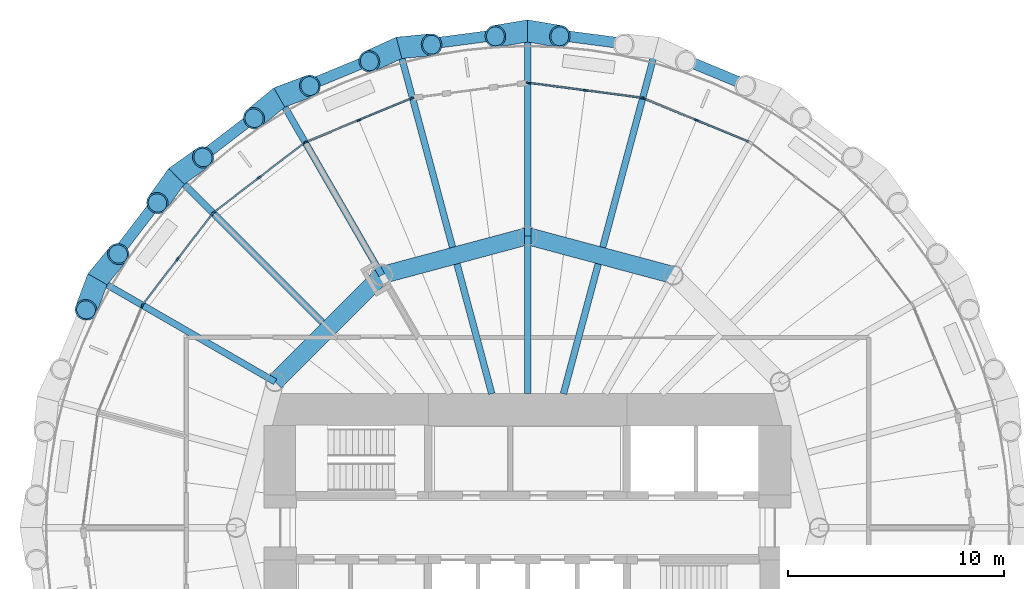
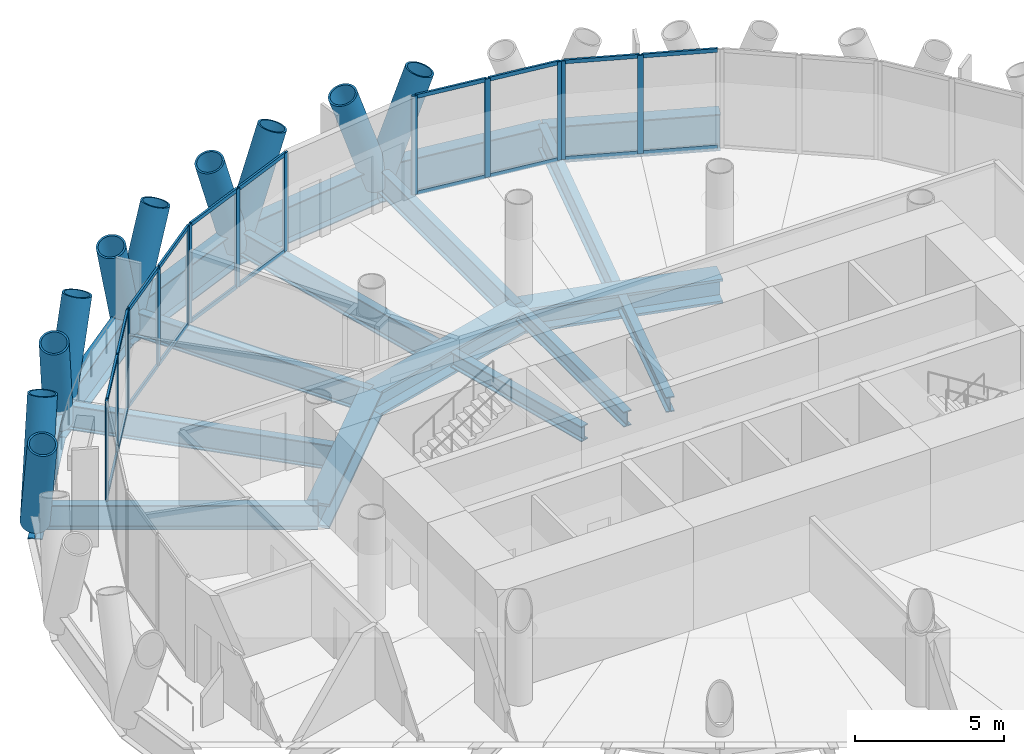
# One storey, part 5 of 14: 45 members, 18 beams, 6 elements without a shape of their own.
"""IFC4 building model written with IfcOpenShell, lengths in metres."""

from ifc_helpers import new_model, si_unit, direction, frame, origin, origin_2d, place, context, subcontext, project, spatial, rectangle, hollow_circle, i_section, extrude, material, material_profile, profile_set, type_object, element, aggregate, save


model = new_model("IFC4")

# Units and contexts
model_context = context("Model", 3, precision=1e-05, world=origin(), true_north=direction((0.0, 1.0)))
body_context = subcontext(model_context, "Body", "Model", "MODEL_VIEW")
ifc_project = project(units=[si_unit("LENGTHUNIT", "METRE"), si_unit("AREAUNIT", "SQUARE_METRE"), si_unit("VOLUMEUNIT", "CUBIC_METRE"), si_unit("PLANEANGLEUNIT", "RADIAN"), si_unit("MASSUNIT", "GRAM", prefix="KILO")], contexts=[model_context])

# Site, building, storey
site_placement = place(None, origin())
site = spatial("IfcSite", under=ifc_project, at=site_placement, CompositionType="ELEMENT")
building_placement = place(site_placement, origin())
building = spatial("IfcBuilding", under=site, at=building_placement, Name="Qaws Media Tower", CompositionType="ELEMENT")
storey_placement = place(building_placement, frame((0.0, 0.0, 210.800048828125)))
storey = spatial("IfcBuildingStorey", under=building, at=storey_placement, Name="L48", CompositionType="ELEMENT", Elevation=210.800048828125)

# Curtain wall, members
ifc_material_1 = material(Name="Aluminium and clear glass", Category="aluminium")
curtain_wall_type = type_object("IfcCurtainWallType", Name="Unitised curtain wall CW-C", PredefinedType="NOTDEFINED", material=ifc_material_1)
curtain_wall_1_placement = place(storey_placement, origin())
curtain_wall_1 = element("IfcCurtainWall", 1, at=curtain_wall_1_placement, inside=storey, type_object=curtain_wall_type, Name="CWC curtain wall L48-05", PredefinedType="NOTDEFINED")
ifc_material_2 = material(Name="Aluminium mullion", Category="aluminium")
ifc_material_profile_1 = material_profile(ifc_material_2, rectangle(XDim=0.080078125, YDim=0.199951171875, at=origin_2d()), Name="80x200")
ifc_profile_set_1 = profile_set([ifc_material_profile_1], Name="Aluminium mullion")
member_type_1 = type_object("IfcMemberType", Name="Curtain wall mullion 80x200", PredefinedType="MULLION", material=ifc_profile_set_1)
member_1_placement = place(storey_placement, frame((67.81591796875, 68.869140625, 0.0), z_axis=(0.0, 0.0, 1.0), x_axis=(-0.382683457778, -0.923879521985, 0.0)))
member_1 = element("IfcMember", 2, at=member_1_placement, type_object=member_type_1, Name="CWC mullion 2", PredefinedType="MULLION", context=body_context, shape_type="SweptSolid", body=[
    extrude(rectangle(XDim=0.080078125, YDim=0.199951171875, at=origin_2d()), origin(), (0.0, 0.0, 1.0), 4.0400390625),
])
member_2_placement = place(storey_placement, frame((65.36865234375, 69.8828125, 0.0), z_axis=(0.0, 0.0, 1.0), x_axis=(-0.382683457778, -0.923879521985, 0.0)))
member_2 = element("IfcMember", 3, at=member_2_placement, type_object=member_type_1, Name="CWC mullion 3", PredefinedType="MULLION", context=body_context, shape_type="SweptSolid", body=[
    extrude(rectangle(XDim=0.080078125, YDim=0.199951171875, at=origin_2d()), origin(), (0.0, 0.0, 1.0), 4.0400390625),
])

curtain_wall_2_placement = place(storey_placement, origin())
curtain_wall_2 = element("IfcCurtainWall", 4, at=curtain_wall_2_placement, inside=storey, type_object=curtain_wall_type, Name="CWC curtain wall L48-06", PredefinedType="NOTDEFINED")
member_3_placement = place(storey_placement, frame((65.2919921875, 69.9033203125, 0.0), z_axis=(0.0, 0.0, 1.0), x_axis=(-0.130526204073, -0.991444859813, 0.0)))
member_3 = element("IfcMember", 5, at=member_3_placement, type_object=member_type_1, Name="CWC mullion 1", PredefinedType="MULLION", context=body_context, shape_type="SweptSolid", body=[
    extrude(rectangle(XDim=0.080078125, YDim=0.199951171875, at=origin_2d()), origin(), (0.0, 0.0, 1.0), 4.0400390625),
])
member_4_placement = place(storey_placement, frame((62.665771484375, 70.2490234375, 0.0), z_axis=(0.0, 0.0, 1.0), x_axis=(-0.130526204073, -0.991444859813, 0.0)))
member_4 = element("IfcMember", 6, at=member_4_placement, type_object=member_type_1, Name="CWC mullion 2", PredefinedType="MULLION", context=body_context, shape_type="SweptSolid", body=[
    extrude(rectangle(XDim=0.080078125, YDim=0.199951171875, at=origin_2d()), origin(), (0.0, 0.0, 1.0), 4.0400390625),
])
member_5_placement = place(storey_placement, frame((60.03955078125, 70.5947265625, 0.0), z_axis=(0.0, 0.0, 1.0), x_axis=(-0.130526204073, -0.991444859813, 0.0)))
member_5 = element("IfcMember", 7, at=member_5_placement, type_object=member_type_1, Name="CWC mullion 3", PredefinedType="MULLION", context=body_context, shape_type="SweptSolid", body=[
    extrude(rectangle(XDim=0.080078125, YDim=0.199951171875, at=origin_2d()), origin(), (0.0, 0.0, 1.0), 4.0400390625),
])

curtain_wall_3_placement = place(storey_placement, origin())
curtain_wall_3 = element("IfcCurtainWall", 8, at=curtain_wall_3_placement, inside=storey, type_object=curtain_wall_type, Name="CWC curtain wall L48-08", PredefinedType="NOTDEFINED")
member_6_placement = place(storey_placement, frame((54.63134765625, 69.8828125, 0.0), z_axis=(0.0, 0.0, 1.0), x_axis=(0.382683457778, -0.923879521985, 0.0)))
member_6 = element("IfcMember", 9, at=member_6_placement, type_object=member_type_1, Name="CWC mullion 1", PredefinedType="MULLION", context=body_context, shape_type="SweptSolid", body=[
    extrude(rectangle(XDim=0.080078125, YDim=0.199951171875, at=origin_2d()), origin(), (0.0, 0.0, 1.0), 4.0400390625),
])
member_7_placement = place(storey_placement, frame((52.18408203125, 68.869140625, 0.0), z_axis=(0.0, 0.0, 1.0), x_axis=(0.382683457778, -0.923879521985, 0.0)))
member_7 = element("IfcMember", 10, at=member_7_placement, type_object=member_type_1, Name="CWC mullion 2", PredefinedType="MULLION", context=body_context, shape_type="SweptSolid", body=[
    extrude(rectangle(XDim=0.080078125, YDim=0.199951171875, at=origin_2d()), origin(), (0.0, 0.0, 1.0), 4.0400390625),
])
member_8_placement = place(storey_placement, frame((49.737060546875, 67.85546875, 0.0), z_axis=(0.0, 0.0, 1.0), x_axis=(0.382683457778, -0.923879521985, 0.0)))
member_8 = element("IfcMember", 11, at=member_8_placement, type_object=member_type_1, Name="CWC mullion 3", PredefinedType="MULLION", context=body_context, shape_type="SweptSolid", body=[
    extrude(rectangle(XDim=0.080078125, YDim=0.199951171875, at=origin_2d()), origin(), (0.0, 0.0, 1.0), 4.0400390625),
])

curtain_wall_4_placement = place(storey_placement, origin())
curtain_wall_4 = element("IfcCurtainWall", 12, at=curtain_wall_4_placement, inside=storey, type_object=curtain_wall_type, Name="CWC curtain wall L48-09", PredefinedType="NOTDEFINED")
member_9_placement = place(storey_placement, frame((49.668212890625, 67.815673828125, 0.0), z_axis=(0.0, 0.0, 1.0), x_axis=(0.608761328178, -0.793353417662, 0.0)))
member_9 = element("IfcMember", 13, at=member_9_placement, type_object=member_type_1, Name="CWC mullion 1", PredefinedType="MULLION", context=body_context, shape_type="SweptSolid", body=[
    extrude(rectangle(XDim=0.080078125, YDim=0.199951171875, at=origin_2d()), origin(), (0.0, 0.0, 1.0), 4.0400390625),
])
member_10_placement = place(storey_placement, frame((47.56689453125, 66.203369140625, 0.0), z_axis=(0.0, 0.0, 1.0), x_axis=(0.608761328178, -0.793353417662, 0.0)))
member_10 = element("IfcMember", 14, at=member_10_placement, type_object=member_type_1, Name="CWC mullion 2", PredefinedType="MULLION", context=body_context, shape_type="SweptSolid", body=[
    extrude(rectangle(XDim=0.080078125, YDim=0.199951171875, at=origin_2d()), origin(), (0.0, 0.0, 1.0), 4.0400390625),
])
member_11_placement = place(storey_placement, frame((45.46533203125, 64.5908203125, 0.0), z_axis=(0.0, 0.0, 1.0), x_axis=(0.608761328178, -0.793353417662, 0.0)))
member_11 = element("IfcMember", 15, at=member_11_placement, type_object=member_type_1, Name="CWC mullion 3", PredefinedType="MULLION", context=body_context, shape_type="SweptSolid", body=[
    extrude(rectangle(XDim=0.080078125, YDim=0.199951171875, at=origin_2d()), origin(), (0.0, 0.0, 1.0), 4.0400390625),
])

curtain_wall_5_placement = place(storey_placement, origin())
curtain_wall_5 = element("IfcCurtainWall", 16, at=curtain_wall_5_placement, inside=storey, type_object=curtain_wall_type, Name="CWC curtain wall L48-10", PredefinedType="NOTDEFINED")
member_12_placement = place(storey_placement, frame((45.4091796875, 64.53466796875, 0.0), z_axis=(0.0, 0.0, 1.0), x_axis=(0.793353417662, -0.608761328178, 0.0)))
member_12 = element("IfcMember", 17, at=member_12_placement, type_object=member_type_1, Name="CWC mullion 1", PredefinedType="MULLION", context=body_context, shape_type="SweptSolid", body=[
    extrude(rectangle(XDim=0.080078125, YDim=0.199951171875, at=origin_2d()), origin(), (0.0, 0.0, 1.0), 4.0400390625),
])
member_13_placement = place(storey_placement, frame((43.796630859375, 62.43310546875, 0.0), z_axis=(0.0, 0.0, 1.0), x_axis=(0.793353417662, -0.608761328178, 0.0)))
member_13 = element("IfcMember", 18, at=member_13_placement, type_object=member_type_1, Name="CWC mullion 2", PredefinedType="MULLION", context=body_context, shape_type="SweptSolid", body=[
    extrude(rectangle(XDim=0.080078125, YDim=0.199951171875, at=origin_2d()), origin(), (0.0, 0.0, 1.0), 4.0400390625),
])
member_14_placement = place(storey_placement, frame((42.184326171875, 60.331787109375, 0.0), z_axis=(0.0, 0.0, 1.0), x_axis=(0.793353417662, -0.608761328178, 0.0)))
member_14 = element("IfcMember", 19, at=member_14_placement, type_object=member_type_1, Name="CWC mullion 3", PredefinedType="MULLION", context=body_context, shape_type="SweptSolid", body=[
    extrude(rectangle(XDim=0.080078125, YDim=0.199951171875, at=origin_2d()), origin(), (0.0, 0.0, 1.0), 4.0400390625),
])

# Curtain wall, member
curtain_wall_6_placement = place(storey_placement, origin())
curtain_wall_6 = element("IfcCurtainWall", 20, at=curtain_wall_6_placement, inside=storey, type_object=curtain_wall_type, Name="CWC curtain wall L48-11", PredefinedType="NOTDEFINED")
member_15_placement = place(storey_placement, frame((42.14453125, 60.262939453125, 0.0), z_axis=(0.0, 0.0, 1.0), x_axis=(0.923879521985, -0.382683457778, 0.0)))
member_15 = element("IfcMember", 21, at=member_15_placement, type_object=member_type_1, Name="CWC mullion 1", PredefinedType="MULLION", context=body_context, shape_type="SweptSolid", body=[
    extrude(rectangle(XDim=0.080078125, YDim=0.199951171875, at=origin_2d()), origin(), (0.0, 0.0, 1.0), 4.0400390625),
])
aggregate(curtain_wall_6, [member_15])

# Member
ifc_material_3 = material(Name="Aluminium transom", Category="aluminium")
ifc_material_profile_2 = material_profile(ifc_material_3, rectangle(XDim=0.080078125, YDim=0.159912109375, at=origin_2d()), Name="80x160")
ifc_profile_set_2 = profile_set([ifc_material_profile_2], Name="Aluminium transom")
member_type_2 = type_object("IfcMemberType", Name="Curtain wall transom 80x160", PredefinedType="USERDEFINED", material=ifc_profile_set_2)
member_16_placement = place(storey_placement, frame((70.22607421875, 67.870849609375, 0.0400390625), z_axis=(-0.923898685977, 0.382637188535, 0.0), x_axis=(-0.382637188535, -0.923898685977, 0.0)))
member_16 = element("IfcMember", 22, at=member_16_placement, type_object=member_type_2, Name="CWC transom 1.1", ObjectType="TRANSOM", PredefinedType="USERDEFINED", context=body_context, shape_type="SweptSolid", body=[
    extrude(rectangle(XDim=0.080078125, YDim=0.159912109375, at=origin_2d()), origin(), (0.0, 0.0, 1.0), 2.56884765625),
])

member_17_placement = place(storey_placement, frame((70.22607421875, 67.870849609375, 4.0), z_axis=(-0.923898685977, 0.382637188535, 0.0), x_axis=(-0.382637188535, -0.923898685977, 0.0)))
member_17 = element("IfcMember", 23, at=member_17_placement, type_object=member_type_2, Name="CWC transom 1.2", ObjectType="TRANSOM", PredefinedType="USERDEFINED", context=body_context, shape_type="SweptSolid", body=[
    extrude(rectangle(XDim=0.080078125, YDim=0.159912109375, at=origin_2d()), origin(), (0.0, 0.0, 1.0), 2.56884765625),
])

member_18_placement = place(storey_placement, frame((67.77880859375, 68.884521484375, 0.0400390625), z_axis=(-0.923898685977, 0.382637188535, 0.0), x_axis=(-0.382637188535, -0.923898685977, 0.0)))
member_18 = element("IfcMember", 24, at=member_18_placement, type_object=member_type_2, Name="CWC transom 2.1", ObjectType="TRANSOM", PredefinedType="USERDEFINED", context=body_context, shape_type="SweptSolid", body=[
    extrude(rectangle(XDim=0.080078125, YDim=0.159912109375, at=origin_2d()), origin(), (0.0, 0.0, 1.0), 2.56884765625),
])

member_19_placement = place(storey_placement, frame((67.77880859375, 68.884521484375, 4.0), z_axis=(-0.923898685977, 0.382637188535, 0.0), x_axis=(-0.382637188535, -0.923898685977, 0.0)))
member_19 = element("IfcMember", 25, at=member_19_placement, type_object=member_type_2, Name="CWC transom 2.2", ObjectType="TRANSOM", PredefinedType="USERDEFINED", context=body_context, shape_type="SweptSolid", body=[
    extrude(rectangle(XDim=0.080078125, YDim=0.159912109375, at=origin_2d()), origin(), (0.0, 0.0, 1.0), 2.56884765625),
])

aggregate(curtain_wall_1, [member_1, member_2, member_16, member_17, member_18, member_19])

member_20_placement = place(storey_placement, frame((65.25244140625, 69.908447265625, 0.0400390625), z_axis=(-0.991437466398, 0.130582350348, 0.0), x_axis=(-0.130582350348, -0.991437466398, 0.0)))
member_20 = element("IfcMember", 26, at=member_20_placement, type_object=member_type_2, Name="CWC transom 1.1", ObjectType="TRANSOM", PredefinedType="USERDEFINED", context=body_context, shape_type="SweptSolid", body=[
    extrude(rectangle(XDim=0.080078125, YDim=0.159912109375, at=origin_2d()), origin(), (0.0, 0.0, 1.0), 2.56884765625),
])

member_21_placement = place(storey_placement, frame((65.25244140625, 69.908447265625, 4.0), z_axis=(-0.991437466398, 0.130582350348, 0.0), x_axis=(-0.130582350348, -0.991437466398, 0.0)))
member_21 = element("IfcMember", 27, at=member_21_placement, type_object=member_type_2, Name="CWC transom 1.2", ObjectType="TRANSOM", PredefinedType="USERDEFINED", context=body_context, shape_type="SweptSolid", body=[
    extrude(rectangle(XDim=0.080078125, YDim=0.159912109375, at=origin_2d()), origin(), (0.0, 0.0, 1.0), 2.56884765625),
])

member_22_placement = place(storey_placement, frame((62.626220703125, 70.254150390625, 0.0400390625), z_axis=(-0.991437466398, 0.130582350348, 0.0), x_axis=(-0.130582350348, -0.991437466398, 0.0)))
member_22 = element("IfcMember", 28, at=member_22_placement, type_object=member_type_2, Name="CWC transom 2.1", ObjectType="TRANSOM", PredefinedType="USERDEFINED", context=body_context, shape_type="SweptSolid", body=[
    extrude(rectangle(XDim=0.080078125, YDim=0.159912109375, at=origin_2d()), origin(), (0.0, 0.0, 1.0), 2.56884765625),
])

member_23_placement = place(storey_placement, frame((62.626220703125, 70.254150390625, 4.0), z_axis=(-0.991437466398, 0.130582350348, 0.0), x_axis=(-0.130582350348, -0.991437466398, 0.0)))
member_23 = element("IfcMember", 29, at=member_23_placement, type_object=member_type_2, Name="CWC transom 2.2", ObjectType="TRANSOM", PredefinedType="USERDEFINED", context=body_context, shape_type="SweptSolid", body=[
    extrude(rectangle(XDim=0.080078125, YDim=0.159912109375, at=origin_2d()), origin(), (0.0, 0.0, 1.0), 2.56884765625),
])

aggregate(curtain_wall_2, [member_3, member_4, member_5, member_20, member_21, member_22, member_23])

member_24_placement = place(storey_placement, frame((54.594482421875, 69.867431640625, 0.0400390625), z_axis=(-0.923898685977, -0.382637188535, 0.0), x_axis=(0.382637188535, -0.923898685977, 0.0)))
member_24 = element("IfcMember", 30, at=member_24_placement, type_object=member_type_2, Name="CWC transom 1.1", ObjectType="TRANSOM", PredefinedType="USERDEFINED", context=body_context, shape_type="SweptSolid", body=[
    extrude(rectangle(XDim=0.080078125, YDim=0.159912109375, at=origin_2d()), origin(), (0.0, 0.0, 1.0), 2.56884765625),
])

member_25_placement = place(storey_placement, frame((54.594482421875, 69.867431640625, 4.0), z_axis=(-0.923898685977, -0.382637188535, 0.0), x_axis=(0.382637188535, -0.923898685977, 0.0)))
member_25 = element("IfcMember", 31, at=member_25_placement, type_object=member_type_2, Name="CWC transom 1.2", ObjectType="TRANSOM", PredefinedType="USERDEFINED", context=body_context, shape_type="SweptSolid", body=[
    extrude(rectangle(XDim=0.080078125, YDim=0.159912109375, at=origin_2d()), origin(), (0.0, 0.0, 1.0), 2.56884765625),
])

member_26_placement = place(storey_placement, frame((52.147216796875, 68.853759765625, 0.0400390625), z_axis=(-0.923898685977, -0.382637188535, 0.0), x_axis=(0.382637188535, -0.923898685977, 0.0)))
member_26 = element("IfcMember", 32, at=member_26_placement, type_object=member_type_2, Name="CWC transom 2.1", ObjectType="TRANSOM", PredefinedType="USERDEFINED", context=body_context, shape_type="SweptSolid", body=[
    extrude(rectangle(XDim=0.080078125, YDim=0.159912109375, at=origin_2d()), origin(), (0.0, 0.0, 1.0), 2.56884765625),
])

member_27_placement = place(storey_placement, frame((52.147216796875, 68.853759765625, 4.0), z_axis=(-0.923898685977, -0.382637188535, 0.0), x_axis=(0.382637188535, -0.923898685977, 0.0)))
member_27 = element("IfcMember", 33, at=member_27_placement, type_object=member_type_2, Name="CWC transom 2.2", ObjectType="TRANSOM", PredefinedType="USERDEFINED", context=body_context, shape_type="SweptSolid", body=[
    extrude(rectangle(XDim=0.080078125, YDim=0.159912109375, at=origin_2d()), origin(), (0.0, 0.0, 1.0), 2.56884765625),
])

aggregate(curtain_wall_3, [member_6, member_7, member_8, member_24, member_25, member_26, member_27])

member_28_placement = place(storey_placement, frame((49.636474609375, 67.79150390625, 0.0400390625), z_axis=(-0.793301853491, -0.608828522039, 0.0), x_axis=(0.608828522039, -0.793301853491, 0.0)))
member_28 = element("IfcMember", 34, at=member_28_placement, type_object=member_type_2, Name="CWC transom 1.1", ObjectType="TRANSOM", PredefinedType="USERDEFINED", context=body_context, shape_type="SweptSolid", body=[
    extrude(rectangle(XDim=0.080078125, YDim=0.159912109375, at=origin_2d()), origin(), (0.0, 0.0, 1.0), 2.56884765625),
])

member_29_placement = place(storey_placement, frame((49.636474609375, 67.79150390625, 4.0), z_axis=(-0.793301853491, -0.608828522039, 0.0), x_axis=(0.608828522039, -0.793301853491, 0.0)))
member_29 = element("IfcMember", 35, at=member_29_placement, type_object=member_type_2, Name="CWC transom 1.2", ObjectType="TRANSOM", PredefinedType="USERDEFINED", context=body_context, shape_type="SweptSolid", body=[
    extrude(rectangle(XDim=0.080078125, YDim=0.159912109375, at=origin_2d()), origin(), (0.0, 0.0, 1.0), 2.56884765625),
])

member_30_placement = place(storey_placement, frame((47.53515625, 66.178955078125, 0.0400390625), z_axis=(-0.793337078322, -0.608782621434, 0.0), x_axis=(0.608782621434, -0.793337078322, 0.0)))
member_30 = element("IfcMember", 36, at=member_30_placement, type_object=member_type_2, Name="CWC transom 2.1", ObjectType="TRANSOM", PredefinedType="USERDEFINED", context=body_context, shape_type="SweptSolid", body=[
    extrude(rectangle(XDim=0.080078125, YDim=0.159912109375, at=origin_2d()), origin(), (0.0, 0.0, 1.0), 2.569091796875),
])

member_31_placement = place(storey_placement, frame((47.53515625, 66.178955078125, 4.0), z_axis=(-0.793337078322, -0.608782621434, 0.0), x_axis=(0.608782621434, -0.793337078322, 0.0)))
member_31 = element("IfcMember", 37, at=member_31_placement, type_object=member_type_2, Name="CWC transom 2.2", ObjectType="TRANSOM", PredefinedType="USERDEFINED", context=body_context, shape_type="SweptSolid", body=[
    extrude(rectangle(XDim=0.080078125, YDim=0.159912109375, at=origin_2d()), origin(), (0.0, 0.0, 1.0), 2.569091796875),
])

aggregate(curtain_wall_4, [member_9, member_10, member_11, member_28, member_29, member_30, member_31])

member_32_placement = place(storey_placement, frame((45.385009765625, 64.5029296875, 0.0400390625), z_axis=(-0.608782621434, -0.793337078322, 0.0), x_axis=(0.793337078322, -0.608782621434, 0.0)))
member_32 = element("IfcMember", 38, at=member_32_placement, type_object=member_type_2, Name="CWC transom 1.1", ObjectType="TRANSOM", PredefinedType="USERDEFINED", context=body_context, shape_type="SweptSolid", body=[
    extrude(rectangle(XDim=0.080078125, YDim=0.159912109375, at=origin_2d()), origin(), (0.0, 0.0, 1.0), 2.569091796875),
])

member_33_placement = place(storey_placement, frame((45.385009765625, 64.5029296875, 4.0), z_axis=(-0.608782621434, -0.793337078322, 0.0), x_axis=(0.793337078322, -0.608782621434, 0.0)))
member_33 = element("IfcMember", 39, at=member_33_placement, type_object=member_type_2, Name="CWC transom 1.2", ObjectType="TRANSOM", PredefinedType="USERDEFINED", context=body_context, shape_type="SweptSolid", body=[
    extrude(rectangle(XDim=0.080078125, YDim=0.159912109375, at=origin_2d()), origin(), (0.0, 0.0, 1.0), 2.569091796875),
])

member_34_placement = place(storey_placement, frame((43.7724609375, 62.4013671875, 0.0400390625), z_axis=(-0.608828522039, -0.793301853491, 0.0), x_axis=(0.793301853491, -0.608828522039, 0.0)))
member_34 = element("IfcMember", 40, at=member_34_placement, type_object=member_type_2, Name="CWC transom 2.1", ObjectType="TRANSOM", PredefinedType="USERDEFINED", context=body_context, shape_type="SweptSolid", body=[
    extrude(rectangle(XDim=0.080078125, YDim=0.159912109375, at=origin_2d()), origin(), (0.0, 0.0, 1.0), 2.56884765625),
])

member_35_placement = place(storey_placement, frame((43.7724609375, 62.4013671875, 4.0), z_axis=(-0.608828522039, -0.793301853491, 0.0), x_axis=(0.793301853491, -0.608828522039, 0.0)))
member_35 = element("IfcMember", 41, at=member_35_placement, type_object=member_type_2, Name="CWC transom 2.2", ObjectType="TRANSOM", PredefinedType="USERDEFINED", context=body_context, shape_type="SweptSolid", body=[
    extrude(rectangle(XDim=0.080078125, YDim=0.159912109375, at=origin_2d()), origin(), (0.0, 0.0, 1.0), 2.56884765625),
])

aggregate(curtain_wall_5, [member_12, member_13, member_14, member_32, member_33, member_34, member_35])

# Members
ifc_material_4 = material(Name="Steel S460", Category="steel")
ifc_material_profile_3 = material_profile(ifc_material_4, hollow_circle(Radius=0.508056640625, WallThickness=0.070068359375, at=origin_2d()), Name="CHS 1016x70")
ifc_profile_set_3 = profile_set([ifc_material_profile_3], Name="Steel S460")
member_type_3 = type_object("IfcMemberType", Name="Diagrid member CHS 1016x70", PredefinedType="USERDEFINED", material=ifc_profile_set_3)
for number, where, z_axis, x_axis, name in (
    (42, (60.0, 73.0, -0.91015625), (-0.334053083144, -0.055730204932, 0.940905245973), (0.164556108523, -0.986367724101, 0.0), "DG3 diagrid L48 A07"),
    (43, (60.0, 73.0, -0.91015625), (0.334053083144, -0.055730204932, 0.940905245973), (0.164556108523, 0.986367724101, 0.0), "DG3 diagrid L48 B07"),
):
    element("IfcMember", number, at=place(storey_placement, frame(where, z_axis=z_axis, x_axis=x_axis)), inside=storey, type_object=member_type_3, Name=name, ObjectType="DIAGRID", PredefinedType="USERDEFINED", context=body_context, shape_type="SweptSolid", body=[
        extrude(hollow_circle(Radius=0.508056640625, WallThickness=0.070068359375, at=origin_2d()), origin(), (0.0, 0.0, 1.0), 4.464111328125),
    ])
member_36_placement = place(storey_placement, frame((54.047119140625, 72.21630859375, -0.91015625), z_axis=(-0.308239958096, -0.140283089517, 0.940908488127), x_axis=(0.414228753041, -0.910172807852, 0.0)))
element("IfcMember", 44, at=member_36_placement, inside=storey, type_object=member_type_3, Name="DG3 diagrid L48 A08", ObjectType="DIAGRID", PredefinedType="USERDEFINED", context=body_context, shape_type="SweptSolid", body=[
    extrude(hollow_circle(Radius=0.508056640625, WallThickness=0.070068359375, at=origin_2d()), origin(), (0.0, 0.0, 1.0), 4.4638671875),
])
for number, where, z_axis, x_axis, name in (
    (45, (54.047119140625, 72.21630859375, -0.91015625), (0.337113722769, 0.032595681176, 0.940899494893), (-0.096241623704, 0.995358000855, 0.0), "DG3 diagrid L48 B08"),
    (46, (48.5, 69.918701171875, -0.91015625), (-0.26142241975, -0.215318005555, 0.940901947567), (0.635758193506, -0.771888281677, 0.0), "DG3 diagrid L48 A09"),
):
    element("IfcMember", number, at=place(storey_placement, frame(where, z_axis=z_axis, x_axis=x_axis)), inside=storey, type_object=member_type_3, Name=name, ObjectType="DIAGRID", PredefinedType="USERDEFINED", context=body_context, shape_type="SweptSolid", body=[
        extrude(hollow_circle(Radius=0.508056640625, WallThickness=0.070068359375, at=origin_2d()), origin(), (0.0, 0.0, 1.0), 4.464111328125),
    ])
for number, where, z_axis, x_axis, name in (
    (47, (48.5, 69.918701171875, -0.91015625), (0.317155620088, 0.118735101088, 0.940911413692), (-0.350610137877, 0.936521506009, 0.0), "DG3 diagrid L48 B09"),
    (48, (43.736572265625, 66.263427734375, -0.91015625), (-0.196781105372, -0.275591992766, 0.940917770101), (0.813831673053, -0.581100686573, 0.0), "DG3 diagrid L48 A10"),
    (49, (43.736572265625, 66.263427734375, -0.91015625), (0.275591992766, 0.196781105372, 0.940917770101), (-0.581100686573, 0.813831673053, 0.0), "DG3 diagrid L48 B10"),
    (50, (40.081298828125, 61.5, -0.91015625), (-0.118735101088, -0.317155620088, 0.940911413692), (0.936521506009, -0.350610137877, 0.0), "DG3 diagrid L48 A11"),
):
    element("IfcMember", number, at=place(storey_placement, frame(where, z_axis=z_axis, x_axis=x_axis)), inside=storey, type_object=member_type_3, Name=name, ObjectType="DIAGRID", PredefinedType="USERDEFINED", context=body_context, shape_type="SweptSolid", body=[
        extrude(hollow_circle(Radius=0.508056640625, WallThickness=0.070068359375, at=origin_2d()), origin(), (0.0, 0.0, 1.0), 4.4638671875),
    ])
member_37_placement = place(storey_placement, frame((40.081298828125, 61.5, -0.91015625), z_axis=(0.215318005555, 0.26142241975, 0.940901947567), x_axis=(-0.771888281677, 0.635758193506, 0.0)))
element("IfcMember", 51, at=member_37_placement, inside=storey, type_object=member_type_3, Name="DG3 diagrid L48 B11", ObjectType="DIAGRID", PredefinedType="USERDEFINED", context=body_context, shape_type="SweptSolid", body=[
    extrude(hollow_circle(Radius=0.508056640625, WallThickness=0.070068359375, at=origin_2d()), origin(), (0.0, 0.0, 1.0), 4.464111328125),
])

# Beams
ifc_material_5 = material(Name="Steel S460", Category="steel")
ifc_material_profile_4 = material_profile(ifc_material_5, i_section(OverallWidth=0.5, OverallDepth=1.5, WebThickness=0.02001953125, FlangeThickness=0.0400390625, at=origin_2d()), Name="PG 1500x500")
ifc_profile_set_4 = profile_set([ifc_material_profile_4], Name="Steel S460")
beam_type_1 = type_object("IfcBeamType", Name="Edge ring beam PG 1500x500", PredefinedType="BEAM", material=ifc_profile_set_4)
for number, where, z_axis, x_axis, name in (
    (52, (71.5, 69.918701171875, -0.91015625), (-0.923884511653, 0.382671411433, 0.0), (-0.382671411433, -0.923884511653, 0.0), "RB4 edge ring beam L48-05"),
    (53, (65.952880859375, 72.21630859375, -0.91015625), (-0.991445297315, 0.130522880875, 0.0), (-0.130522880875, -0.991445297315, 0.0), "RB4 edge ring beam L48-06"),
    (54, (60.0, 73.0, -0.91015625), (-0.991445297315, -0.130522880875, 0.0), (0.130522880875, -0.991445297315, 0.0), "RB4 edge ring beam L48-07"),
    (55, (54.047119140625, 72.21630859375, -0.91015625), (-0.923884511653, -0.382671411433, 0.0), (0.382671411433, -0.923884511653, 0.0), "RB4 edge ring beam L48-08"),
    (56, (48.5, 69.918701171875, -0.91015625), (-0.793339924758, -0.608778912074, 0.0), (0.608778912074, -0.793339924758, 0.0), "RB4 edge ring beam L48-09"),
    (57, (43.736572265625, 66.263427734375, -0.91015625), (-0.608778912074, -0.793339924758, 0.0), (0.793339924758, -0.608778912074, 0.0), "RB4 edge ring beam L48-10"),
):
    element("IfcBeam", number, at=place(storey_placement, frame(where, z_axis=z_axis, x_axis=x_axis)), inside=storey, type_object=beam_type_1, Name=name, PredefinedType="BEAM", context=body_context, shape_type="SweptSolid", body=[
        extrude(i_section(OverallWidth=0.5, OverallDepth=1.5, WebThickness=0.02001953125, FlangeThickness=0.0400390625, at=origin_2d()), origin(), (0.0, 0.0, 1.0), 6.004150390625),
    ])
ifc_material_6 = material(Name="Steel S460", Category="steel")
ifc_material_profile_5 = material_profile(ifc_material_6, i_section(OverallWidth=0.800048828125, OverallDepth=1.0, WebThickness=0.0400390625, FlangeThickness=0.10009765625, at=origin_2d()), Name="PG 1000x800")
ifc_profile_set_5 = profile_set([ifc_material_profile_5], Name="Steel S460")
beam_type_2 = type_object("IfcBeamType", Name="Inner ring girder PG 1000x800", PredefinedType="BEAM", material=ifc_profile_set_5)
for number, where, z_axis, x_axis, name in (
    (58, (66.75, 61.69140625, -0.66015625), (-0.965928090778, 0.258810593767, 0.0), (-0.258810593767, -0.965928090778, 0.0), "B3 inner ring beam L48 I03-I04"),
    (59, (60.0, 63.5, -0.66015625), (-0.965928090778, -0.258810593767, 0.0), (0.258810593767, -0.965928090778, 0.0), "B3 inner ring beam L48 I04-I05"),
):
    element("IfcBeam", number, at=place(storey_placement, frame(where, z_axis=z_axis, x_axis=x_axis)), inside=storey, type_object=beam_type_2, Name=name, PredefinedType="BEAM", context=body_context, shape_type="SweptSolid", body=[
        extrude(i_section(OverallWidth=0.800048828125, OverallDepth=1.0, WebThickness=0.0400390625, FlangeThickness=0.10009765625, at=origin_2d()), origin(), (0.0, 0.0, 1.0), 6.988037109375),
    ])
beam_1_placement = place(storey_placement, frame((53.25, 61.69140625, -0.66015625), z_axis=(-0.707106781187, -0.707106781187, 0.0), x_axis=(0.707106781187, -0.707106781187, 0.0)))
element("IfcBeam", 60, at=beam_1_placement, inside=storey, type_object=beam_type_2, Name="B3 inner ring beam L48 I05-I06", PredefinedType="BEAM", context=body_context, shape_type="SweptSolid", body=[
    extrude(i_section(OverallWidth=0.800048828125, OverallDepth=1.0, WebThickness=0.0400390625, FlangeThickness=0.10009765625, at=origin_2d()), origin(), (0.0, 0.0, 1.0), 6.98828125),
])
ifc_material_7 = material(Name="Steel S355", Category="steel")
ifc_material_profile_6 = material_profile(ifc_material_7, i_section(OverallWidth=0.302001953125, OverallDepth=1.008056640625, WebThickness=0.02099609375, FlangeThickness=0.0400390625, FilletRadius=0.030029296875, at=origin_2d()), Name="HE 1000 M")
ifc_profile_set_6 = profile_set([ifc_material_profile_6], Name="Steel S355")
beam_type_3 = type_object("IfcBeamType", Name="Radial beam HE 1000 M", PredefinedType="BEAM", material=ifc_profile_set_6)
beam_2_placement = place(storey_placement, frame((63.478515625, 62.98193359375, -0.6640625), z_axis=(0.258821183439, 0.965925253321, 0.0), x_axis=(-0.965925253321, 0.258821183439, 0.0)))
element("IfcBeam", 61, at=beam_2_placement, inside=storey, type_object=beam_type_3, Name="B1 radial beam L48 06", PredefinedType="BEAM", context=body_context, shape_type="SweptSolid", body=[
    extrude(i_section(OverallWidth=0.302001953125, OverallDepth=1.008056640625, WebThickness=0.02099609375, FlangeThickness=0.0400390625, FilletRadius=0.030029296875, at=origin_2d()), origin(), (0.0, 0.0, 1.0), 9.56005859375),
])
beam_3_placement = place(storey_placement, frame((60.0, 63.5, -0.6640625), z_axis=(0.0, 1.0, 0.0), x_axis=(-1.0, 0.0, 0.0)))
element("IfcBeam", 62, at=beam_3_placement, inside=storey, type_object=beam_type_3, Name="B1 radial beam L48 07", PredefinedType="BEAM", context=body_context, shape_type="SweptSolid", body=[
    extrude(i_section(OverallWidth=0.302001953125, OverallDepth=1.008056640625, WebThickness=0.02099609375, FlangeThickness=0.0400390625, FilletRadius=0.030029296875, at=origin_2d()), origin(), (0.0, 0.0, 1.0), 9.5),
])
beam_4_placement = place(storey_placement, frame((56.521484375, 62.98193359375, -0.6640625), z_axis=(-0.258821183439, 0.965925253321, 0.0), x_axis=(-0.965925253321, -0.258821183439, 0.0)))
element("IfcBeam", 63, at=beam_4_placement, inside=storey, type_object=beam_type_3, Name="B1 radial beam L48 08", PredefinedType="BEAM", context=body_context, shape_type="SweptSolid", body=[
    extrude(i_section(OverallWidth=0.302001953125, OverallDepth=1.008056640625, WebThickness=0.02099609375, FlangeThickness=0.0400390625, FilletRadius=0.030029296875, at=origin_2d()), origin(), (0.0, 0.0, 1.0), 9.56005859375),
])
beam_5_placement = place(storey_placement, frame((53.25, 61.69140625, -0.6640625), z_axis=(-0.499997557548, 0.86602681393, 0.0), x_axis=(-0.86602681393, -0.499997557548, 0.0)))
element("IfcBeam", 64, at=beam_5_placement, inside=storey, type_object=beam_type_3, Name="B1 radial beam L48 09", PredefinedType="BEAM", context=body_context, shape_type="SweptSolid", body=[
    extrude(i_section(OverallWidth=0.302001953125, OverallDepth=1.008056640625, WebThickness=0.02099609375, FlangeThickness=0.0400390625, FilletRadius=0.030029296875, at=origin_2d()), origin(), (0.0, 0.0, 1.0), 9.5),
])
beam_6_placement = place(storey_placement, frame((50.49658203125, 59.50341796875, -0.6640625), z_axis=(-0.707106781187, 0.707106781187, 0.0), x_axis=(-0.707106781187, -0.707106781187, 0.0)))
element("IfcBeam", 65, at=beam_6_placement, inside=storey, type_object=beam_type_3, Name="B1 radial beam L48 10", PredefinedType="BEAM", context=body_context, shape_type="SweptSolid", body=[
    extrude(i_section(OverallWidth=0.302001953125, OverallDepth=1.008056640625, WebThickness=0.02099609375, FlangeThickness=0.0400390625, FilletRadius=0.030029296875, at=origin_2d()), origin(), (0.0, 0.0, 1.0), 9.56005859375),
])
beam_7_placement = place(storey_placement, frame((48.30859375, 56.75, -0.6640625), z_axis=(-0.86602681393, 0.499997557548, 0.0), x_axis=(-0.499997557548, -0.86602681393, 0.0)))
element("IfcBeam", 66, at=beam_7_placement, inside=storey, type_object=beam_type_3, Name="B1 radial beam L48 11", PredefinedType="BEAM", context=body_context, shape_type="SweptSolid", body=[
    extrude(i_section(OverallWidth=0.302001953125, OverallDepth=1.008056640625, WebThickness=0.02099609375, FlangeThickness=0.0400390625, FilletRadius=0.030029296875, at=origin_2d()), origin(), (0.0, 0.0, 1.0), 9.5),
])
ifc_material_8 = material(Name="Steel S355", Category="steel")
ifc_material_profile_7 = material_profile(ifc_material_8, i_section(OverallWidth=0.304931640625, OverallDepth=0.6201171875, WebThickness=0.02099609375, FlangeThickness=0.0400390625, FilletRadius=0.027099609375, at=origin_2d()), Name="HE 600 M")
ifc_profile_set_7 = profile_set([ifc_material_profile_7], Name="Steel S355")
beam_type_4 = type_object("IfcBeamType", Name="Radial beam HE 600 M, core side", PredefinedType="BEAM", material=ifc_profile_set_7)
beam_8_placement = place(storey_placement, frame((61.661376953125, 56.199951171875, -0.469970703125), z_axis=(0.258808008719, 0.965928783412, 0.0), x_axis=(-0.965928783412, 0.258808008719, 0.0)))
element("IfcBeam", 67, at=beam_8_placement, inside=storey, type_object=beam_type_4, Name="B2 radial beam L48 06", PredefinedType="BEAM", context=body_context, shape_type="SweptSolid", body=[
    extrude(i_section(OverallWidth=0.304931640625, OverallDepth=0.6201171875, WebThickness=0.02099609375, FlangeThickness=0.0400390625, FilletRadius=0.027099609375, at=origin_2d()), origin(), (0.0, 0.0, 1.0), 6.22119140625),
])
beam_9_placement = place(storey_placement, frame((60.0, 56.199951171875, -0.469970703125), z_axis=(0.0, 1.0, 0.0), x_axis=(-1.0, 0.0, 0.0)))
element("IfcBeam", 68, at=beam_9_placement, inside=storey, type_object=beam_type_4, Name="B2 radial beam L48 07", PredefinedType="BEAM", context=body_context, shape_type="SweptSolid", body=[
    extrude(i_section(OverallWidth=0.304931640625, OverallDepth=0.6201171875, WebThickness=0.02099609375, FlangeThickness=0.0400390625, FilletRadius=0.027099609375, at=origin_2d()), origin(), (0.0, 0.0, 1.0), 7.300048828125),
])
beam_10_placement = place(storey_placement, frame((58.338623046875, 56.199951171875, -0.469970703125), z_axis=(-0.258808008719, 0.965928783412, 0.0), x_axis=(-0.965928783412, -0.258808008719, 0.0)))
element("IfcBeam", 69, at=beam_10_placement, inside=storey, type_object=beam_type_4, Name="B2 radial beam L48 08", PredefinedType="BEAM", context=body_context, shape_type="SweptSolid", body=[
    extrude(i_section(OverallWidth=0.304931640625, OverallDepth=0.6201171875, WebThickness=0.02099609375, FlangeThickness=0.0400390625, FilletRadius=0.027099609375, at=origin_2d()), origin(), (0.0, 0.0, 1.0), 6.22119140625),
])

save(model, "model.ifc")
